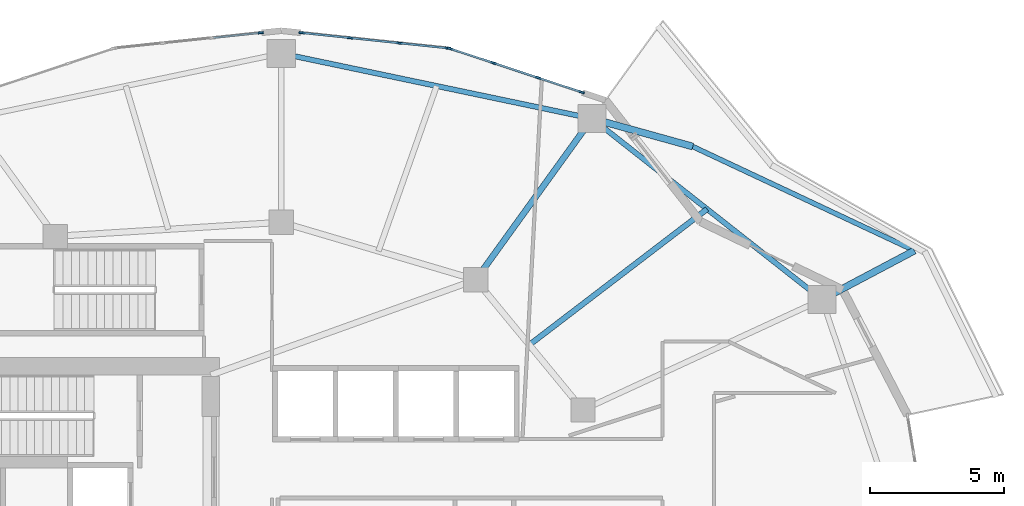
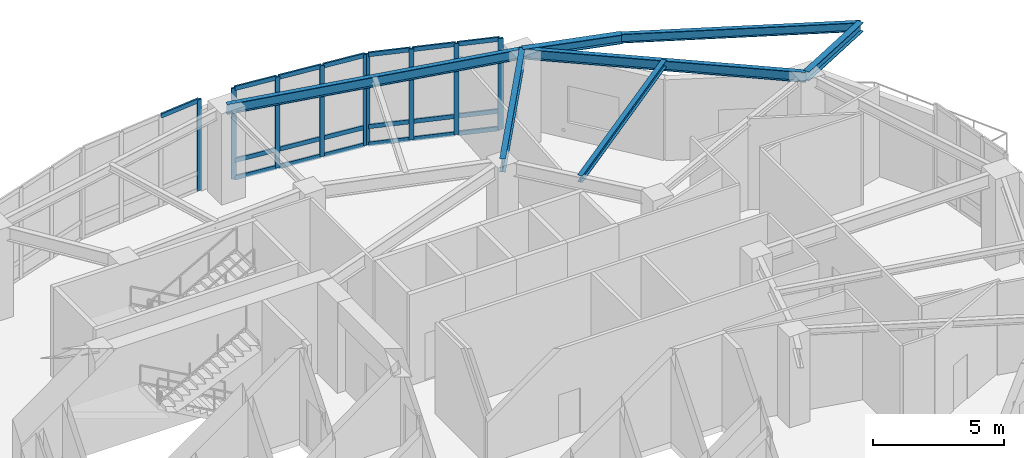
# One storey, part 7 of 16: 28 members, 7 beams, 3 elements without a shape of their own.
"""IFC4 building model written with IfcOpenShell, lengths in metres."""

from ifc_helpers import new_model, si_unit, direction, frame, origin, origin_2d, place, context, subcontext, project, spatial, rectangle, i_section, extrude, material, layer, layer_set, material_profile, profile_set, type_object, element, aggregate, save


model = new_model("IFC4")

# Units and contexts
model_context = context("Model", 3, precision=1e-05, world=origin(), true_north=direction((0.0, 1.0)))
body_context = subcontext(model_context, "Body", "Model", "MODEL_VIEW")
ifc_project = project(units=[si_unit("LENGTHUNIT", "METRE"), si_unit("AREAUNIT", "SQUARE_METRE"), si_unit("VOLUMEUNIT", "CUBIC_METRE"), si_unit("PLANEANGLEUNIT", "RADIAN"), si_unit("MASSUNIT", "GRAM", prefix="KILO")], contexts=[model_context])

# Site, building, storey
site_placement = place(None, origin())
site = spatial("IfcSite", under=ifc_project, at=site_placement, CompositionType="ELEMENT")
building_placement = place(site_placement, origin())
building = spatial("IfcBuilding", under=site, at=building_placement, Name="Kolvaren Gate Tower and Convention Centre", CompositionType="ELEMENT")
storey_placement = place(building_placement, frame((0.0, 0.0, 100.800048828125)))
storey = spatial("IfcBuildingStorey", under=building, at=storey_placement, Name="L24", CompositionType="ELEMENT", Elevation=100.800048828125)

# Curtain wall, members
ifc_material_1 = material(Name="Anodized Architectural Aluminium Alloy 6063-T6", Category="aluminium")
ifc_layer = layer(ifc_material_1, 0.199951171875)
ifc_layer_set = layer_set([ifc_layer], Name="Anodized Architectural Aluminium Alloy 6063-T6")
curtain_wall_type = type_object("IfcCurtainWallType", Name="CW-SKY-GLZ", PredefinedType="NOTDEFINED", material=ifc_layer_set)
curtain_wall_1_placement = place(storey_placement, origin())
curtain_wall_1 = element("IfcCurtainWall", 1, at=curtain_wall_1_placement, inside=storey, type_object=curtain_wall_type, Name="L24 Panoramic Structural Curtain Wall CW-04", PredefinedType="NOTDEFINED")
ifc_material_profile_1 = material_profile(ifc_material_1, rectangle(XDim=0.074951171875, YDim=0.199951171875, at=origin_2d()), Name="CW-MEM-MUL-200")
ifc_profile_set_1 = profile_set([ifc_material_profile_1], Name="Anodized Architectural Aluminium Alloy 6063-T6")
member_type_1 = type_object("IfcMemberType", Name="CW-MEM-MUL-200", PredefinedType="MULLION", material=ifc_profile_set_1)
member_1_placement = place(storey_placement, frame((36.4208984375, 45.678955078125, 0.0), z_axis=(0.0, 0.0, 1.0), x_axis=(0.314552984603, 0.949239916922, 0.0)))
member_1 = element("IfcMember", 2, at=member_1_placement, type_object=member_type_1, Name="CW-05 mullion 1", PredefinedType="MULLION", context=body_context, shape_type="SweptSolid", body=[
    extrude(rectangle(XDim=0.074951171875, YDim=0.199951171875, at=origin_2d()), origin(), (0.0, 0.0, 1.0), 4.22998046875),
])
member_2_placement = place(storey_placement, frame((38.04638671875, 45.14013671875, 0.0), z_axis=(0.0, 0.0, 1.0), x_axis=(0.314552984603, 0.949239916922, 0.0)))
member_2 = element("IfcMember", 3, at=member_2_placement, type_object=member_type_1, Name="CW-05 mullion 2", PredefinedType="MULLION", context=body_context, shape_type="SweptSolid", body=[
    extrude(rectangle(XDim=0.074951171875, YDim=0.199951171875, at=origin_2d()), origin(), (0.0, 0.0, 1.0), 4.22998046875),
])
member_3_placement = place(storey_placement, frame((39.70751953125, 44.58984375, 0.0), z_axis=(0.0, 0.0, 1.0), x_axis=(0.314552984603, 0.949239916922, 0.0)))
member_3 = element("IfcMember", 4, at=member_3_placement, type_object=member_type_1, Name="CW-05 mullion 3", PredefinedType="MULLION", context=body_context, shape_type="SweptSolid", body=[
    extrude(rectangle(XDim=0.074951171875, YDim=0.199951171875, at=origin_2d()), origin(), (0.0, 0.0, 1.0), 4.22998046875),
])
member_4_placement = place(storey_placement, frame((41.3330078125, 44.051025390625, 0.0), z_axis=(0.0, 0.0, 1.0), x_axis=(0.314552984603, 0.949239916922, 0.0)))
member_4 = element("IfcMember", 5, at=member_4_placement, type_object=member_type_1, Name="CW-05 mullion 4", PredefinedType="MULLION", context=body_context, shape_type="SweptSolid", body=[
    extrude(rectangle(XDim=0.074951171875, YDim=0.199951171875, at=origin_2d()), origin(), (0.0, 0.0, 1.0), 4.22998046875),
])

curtain_wall_2_placement = place(storey_placement, origin())
curtain_wall_2 = element("IfcCurtainWall", 6, at=curtain_wall_2_placement, inside=storey, type_object=curtain_wall_type, Name="L24 Panoramic Structural Curtain Wall CW-05", PredefinedType="NOTDEFINED")
member_5_placement = place(storey_placement, frame((30.88720703125, 46.269775390625, 0.0), z_axis=(0.0, 0.0, 1.0), x_axis=(0.104728741662, 0.994500824871, 0.0)))
member_5 = element("IfcMember", 7, at=member_5_placement, type_object=member_type_1, Name="CW-05 mullion 1", PredefinedType="MULLION", context=body_context, shape_type="SweptSolid", body=[
    extrude(rectangle(XDim=0.074951171875, YDim=0.199951171875, at=origin_2d()), origin(), (0.0, 0.0, 1.0), 4.22998046875),
])
member_6_placement = place(storey_placement, frame((32.695068359375, 46.079345703125, 0.0), z_axis=(0.0, 0.0, 1.0), x_axis=(0.104728741662, 0.994500824871, 0.0)))
member_6 = element("IfcMember", 8, at=member_6_placement, type_object=member_type_1, Name="CW-05 mullion 2", PredefinedType="MULLION", context=body_context, shape_type="SweptSolid", body=[
    extrude(rectangle(XDim=0.074951171875, YDim=0.199951171875, at=origin_2d()), origin(), (0.0, 0.0, 1.0), 4.22998046875),
])
member_7_placement = place(storey_placement, frame((34.5400390625, 45.885009765625, 0.0), z_axis=(0.0, 0.0, 1.0), x_axis=(0.104728741662, 0.994500824871, 0.0)))
member_7 = element("IfcMember", 9, at=member_7_placement, type_object=member_type_1, Name="CW-05 mullion 3", PredefinedType="MULLION", context=body_context, shape_type="SweptSolid", body=[
    extrude(rectangle(XDim=0.074951171875, YDim=0.199951171875, at=origin_2d()), origin(), (0.0, 0.0, 1.0), 4.22998046875),
])
member_8_placement = place(storey_placement, frame((36.347900390625, 45.694580078125, 0.0), z_axis=(0.0, 0.0, 1.0), x_axis=(0.104728741662, 0.994500824871, 0.0)))
member_8 = element("IfcMember", 10, at=member_8_placement, type_object=member_type_1, Name="CW-05 mullion 4", PredefinedType="MULLION", context=body_context, shape_type="SweptSolid", body=[
    extrude(rectangle(XDim=0.074951171875, YDim=0.199951171875, at=origin_2d()), origin(), (0.0, 0.0, 1.0), 4.22998046875),
])

# Curtain wall, member
curtain_wall_3_placement = place(storey_placement, origin())
curtain_wall_3 = element("IfcCurtainWall", 11, at=curtain_wall_3_placement, inside=storey, type_object=curtain_wall_type, Name="L24 Panoramic Structural Curtain Wall CW-06", PredefinedType="NOTDEFINED")
member_9_placement = place(storey_placement, frame((29.36279296875, 46.269775390625, 0.0), z_axis=(0.0, 0.0, 1.0), x_axis=(-0.104742768305, 0.994499347656, 0.0)))
member_9 = element("IfcMember", 12, at=member_9_placement, type_object=member_type_1, Name="CW-05 mullion 4", PredefinedType="MULLION", context=body_context, shape_type="SweptSolid", body=[
    extrude(rectangle(XDim=0.074951171875, YDim=0.199951171875, at=origin_2d()), origin(), (0.0, 0.0, 1.0), 4.22998046875),
])

# Member
ifc_material_profile_2 = material_profile(ifc_material_1, rectangle(XDim=0.074951171875, YDim=0.199951171875, at=origin_2d()), Name="CW-MEM-TRN-200")
ifc_profile_set_2 = profile_set([ifc_material_profile_2], Name="Anodized Architectural Aluminium Alloy 6063-T6")
member_type_2 = type_object("IfcMemberType", Name="CW-MEM-TRN-200", PredefinedType="USERDEFINED", material=ifc_profile_set_2)
member_10_placement = place(storey_placement, frame((36.456298828125, 45.6669921875, 0.037353515625), z_axis=(0.94927798479, -0.314438082287, 0.0), x_axis=(0.314438082287, 0.94927798479, 0.0)))
member_10 = element("IfcMember", 13, at=member_10_placement, type_object=member_type_2, Name="CW-05 transom 1.1", ObjectType="TRANSOM", PredefinedType="USERDEFINED", context=body_context, shape_type="SweptSolid", body=[
    extrude(rectangle(XDim=0.074951171875, YDim=0.199951171875, at=origin_2d()), origin(), (0.0, 0.0, 1.0), 1.637451171875),
])

member_11_placement = place(storey_placement, frame((36.456298828125, 45.6669921875, 0.849853515625), z_axis=(0.94927798479, -0.314438082287, 0.0), x_axis=(0.314438082287, 0.94927798479, 0.0)))
member_11 = element("IfcMember", 14, at=member_11_placement, type_object=member_type_2, Name="CW-05 transom 1.2", ObjectType="TRANSOM", PredefinedType="USERDEFINED", context=body_context, shape_type="SweptSolid", body=[
    extrude(rectangle(XDim=0.074951171875, YDim=0.199951171875, at=origin_2d()), origin(), (0.0, 0.0, 1.0), 1.637451171875),
])

member_12_placement = place(storey_placement, frame((36.456298828125, 45.6669921875, 4.1923828125), z_axis=(0.94927798479, -0.314438082287, 0.0), x_axis=(0.314438082287, 0.94927798479, 0.0)))
member_12 = element("IfcMember", 15, at=member_12_placement, type_object=member_type_2, Name="CW-05 transom 1.3", ObjectType="TRANSOM", PredefinedType="USERDEFINED", context=body_context, shape_type="SweptSolid", body=[
    extrude(rectangle(XDim=0.074951171875, YDim=0.199951171875, at=origin_2d()), origin(), (0.0, 0.0, 1.0), 1.637451171875),
])

member_13_placement = place(storey_placement, frame((38.08203125, 45.12841796875, 0.037353515625), z_axis=(0.94923575788, -0.314565535243, 0.0), x_axis=(0.314565535243, 0.94923575788, 0.0)))
member_13 = element("IfcMember", 16, at=member_13_placement, type_object=member_type_2, Name="CW-05 transom 2.1", ObjectType="TRANSOM", PredefinedType="USERDEFINED", context=body_context, shape_type="SweptSolid", body=[
    extrude(rectangle(XDim=0.074951171875, YDim=0.199951171875, at=origin_2d()), origin(), (0.0, 0.0, 1.0), 1.6748046875),
])

member_14_placement = place(storey_placement, frame((38.08203125, 45.12841796875, 0.849853515625), z_axis=(0.94923575788, -0.314565535243, 0.0), x_axis=(0.314565535243, 0.94923575788, 0.0)))
member_14 = element("IfcMember", 17, at=member_14_placement, type_object=member_type_2, Name="CW-05 transom 2.2", ObjectType="TRANSOM", PredefinedType="USERDEFINED", context=body_context, shape_type="SweptSolid", body=[
    extrude(rectangle(XDim=0.074951171875, YDim=0.199951171875, at=origin_2d()), origin(), (0.0, 0.0, 1.0), 1.6748046875),
])

member_15_placement = place(storey_placement, frame((38.08203125, 45.12841796875, 4.1923828125), z_axis=(0.94923575788, -0.314565535243, 0.0), x_axis=(0.314565535243, 0.94923575788, 0.0)))
member_15 = element("IfcMember", 18, at=member_15_placement, type_object=member_type_2, Name="CW-05 transom 2.3", ObjectType="TRANSOM", PredefinedType="USERDEFINED", context=body_context, shape_type="SweptSolid", body=[
    extrude(rectangle(XDim=0.074951171875, YDim=0.199951171875, at=origin_2d()), origin(), (0.0, 0.0, 1.0), 1.6748046875),
])

member_16_placement = place(storey_placement, frame((39.7431640625, 44.577880859375, 0.037353515625), z_axis=(0.94927798479, -0.314438082287, 0.0), x_axis=(0.314438082287, 0.94927798479, 0.0)))
member_16 = element("IfcMember", 19, at=member_16_placement, type_object=member_type_2, Name="CW-05 transom 3.1", ObjectType="TRANSOM", PredefinedType="USERDEFINED", context=body_context, shape_type="SweptSolid", body=[
    extrude(rectangle(XDim=0.074951171875, YDim=0.199951171875, at=origin_2d()), origin(), (0.0, 0.0, 1.0), 1.637451171875),
])

member_17_placement = place(storey_placement, frame((39.7431640625, 44.577880859375, 0.849853515625), z_axis=(0.94927798479, -0.314438082287, 0.0), x_axis=(0.314438082287, 0.94927798479, 0.0)))
member_17 = element("IfcMember", 20, at=member_17_placement, type_object=member_type_2, Name="CW-05 transom 3.2", ObjectType="TRANSOM", PredefinedType="USERDEFINED", context=body_context, shape_type="SweptSolid", body=[
    extrude(rectangle(XDim=0.074951171875, YDim=0.199951171875, at=origin_2d()), origin(), (0.0, 0.0, 1.0), 1.637451171875),
])

member_18_placement = place(storey_placement, frame((39.7431640625, 44.577880859375, 4.1923828125), z_axis=(0.94927798479, -0.314438082287, 0.0), x_axis=(0.314438082287, 0.94927798479, 0.0)))
member_18 = element("IfcMember", 21, at=member_18_placement, type_object=member_type_2, Name="CW-05 transom 3.3", ObjectType="TRANSOM", PredefinedType="USERDEFINED", context=body_context, shape_type="SweptSolid", body=[
    extrude(rectangle(XDim=0.074951171875, YDim=0.199951171875, at=origin_2d()), origin(), (0.0, 0.0, 1.0), 1.637451171875),
])

aggregate(curtain_wall_1, [member_1, member_2, member_3, member_4, member_10, member_11, member_12, member_13, member_14, member_15, member_16, member_17, member_18])

member_19_placement = place(storey_placement, frame((30.924560546875, 46.265625, 0.037353515625), z_axis=(0.994509290375, -0.104648322286, 0.0), x_axis=(0.104648322286, 0.994509290375, 0.0)))
member_19 = element("IfcMember", 22, at=member_19_placement, type_object=member_type_2, Name="CW-05 transom 1.1", ObjectType="TRANSOM", PredefinedType="USERDEFINED", context=body_context, shape_type="SweptSolid", body=[
    extrude(rectangle(XDim=0.074951171875, YDim=0.199951171875, at=origin_2d()), origin(), (0.0, 0.0, 1.0), 1.74267578125),
])

member_20_placement = place(storey_placement, frame((30.924560546875, 46.265625, 0.849853515625), z_axis=(0.994509290375, -0.104648322286, 0.0), x_axis=(0.104648322286, 0.994509290375, 0.0)))
member_20 = element("IfcMember", 23, at=member_20_placement, type_object=member_type_2, Name="CW-05 transom 1.2", ObjectType="TRANSOM", PredefinedType="USERDEFINED", context=body_context, shape_type="SweptSolid", body=[
    extrude(rectangle(XDim=0.074951171875, YDim=0.199951171875, at=origin_2d()), origin(), (0.0, 0.0, 1.0), 1.74267578125),
])

member_21_placement = place(storey_placement, frame((30.924560546875, 46.265625, 4.1923828125), z_axis=(0.994509290375, -0.104648322286, 0.0), x_axis=(0.104648322286, 0.994509290375, 0.0)))
member_21 = element("IfcMember", 24, at=member_21_placement, type_object=member_type_2, Name="CW-05 transom 1.3", ObjectType="TRANSOM", PredefinedType="USERDEFINED", context=body_context, shape_type="SweptSolid", body=[
    extrude(rectangle(XDim=0.074951171875, YDim=0.199951171875, at=origin_2d()), origin(), (0.0, 0.0, 1.0), 1.74267578125),
])

member_22_placement = place(storey_placement, frame((32.732421875, 46.075439453125, 0.037353515625), z_axis=(0.994496432196, -0.104770445973, 0.0), x_axis=(0.104770445973, 0.994496432196, 0.0)))
member_22 = element("IfcMember", 25, at=member_22_placement, type_object=member_type_2, Name="CW-05 transom 2.1", ObjectType="TRANSOM", PredefinedType="USERDEFINED", context=body_context, shape_type="SweptSolid", body=[
    extrude(rectangle(XDim=0.074951171875, YDim=0.199951171875, at=origin_2d()), origin(), (0.0, 0.0, 1.0), 1.7802734375),
])

member_23_placement = place(storey_placement, frame((32.732421875, 46.075439453125, 0.849853515625), z_axis=(0.994496432196, -0.104770445973, 0.0), x_axis=(0.104770445973, 0.994496432196, 0.0)))
member_23 = element("IfcMember", 26, at=member_23_placement, type_object=member_type_2, Name="CW-05 transom 2.2", ObjectType="TRANSOM", PredefinedType="USERDEFINED", context=body_context, shape_type="SweptSolid", body=[
    extrude(rectangle(XDim=0.074951171875, YDim=0.199951171875, at=origin_2d()), origin(), (0.0, 0.0, 1.0), 1.7802734375),
])

member_24_placement = place(storey_placement, frame((32.732421875, 46.075439453125, 4.1923828125), z_axis=(0.994496432196, -0.104770445973, 0.0), x_axis=(0.104770445973, 0.994496432196, 0.0)))
member_24 = element("IfcMember", 27, at=member_24_placement, type_object=member_type_2, Name="CW-05 transom 2.3", ObjectType="TRANSOM", PredefinedType="USERDEFINED", context=body_context, shape_type="SweptSolid", body=[
    extrude(rectangle(XDim=0.074951171875, YDim=0.199951171875, at=origin_2d()), origin(), (0.0, 0.0, 1.0), 1.7802734375),
])

member_25_placement = place(storey_placement, frame((34.577392578125, 45.881103515625, 0.037353515625), z_axis=(0.994494701097, -0.104786876521, 0.0), x_axis=(0.104786876521, 0.994494701097, 0.0)))
member_25 = element("IfcMember", 28, at=member_25_placement, type_object=member_type_2, Name="CW-05 transom 3.1", ObjectType="TRANSOM", PredefinedType="USERDEFINED", context=body_context, shape_type="SweptSolid", body=[
    extrude(rectangle(XDim=0.074951171875, YDim=0.199951171875, at=origin_2d()), origin(), (0.0, 0.0, 1.0), 1.74267578125),
])

member_26_placement = place(storey_placement, frame((34.577392578125, 45.881103515625, 0.849853515625), z_axis=(0.994494701097, -0.104786876521, 0.0), x_axis=(0.104786876521, 0.994494701097, 0.0)))
member_26 = element("IfcMember", 29, at=member_26_placement, type_object=member_type_2, Name="CW-05 transom 3.2", ObjectType="TRANSOM", PredefinedType="USERDEFINED", context=body_context, shape_type="SweptSolid", body=[
    extrude(rectangle(XDim=0.074951171875, YDim=0.199951171875, at=origin_2d()), origin(), (0.0, 0.0, 1.0), 1.74267578125),
])

member_27_placement = place(storey_placement, frame((34.577392578125, 45.881103515625, 4.1923828125), z_axis=(0.994494701097, -0.104786876521, 0.0), x_axis=(0.104786876521, 0.994494701097, 0.0)))
member_27 = element("IfcMember", 30, at=member_27_placement, type_object=member_type_2, Name="CW-05 transom 3.3", ObjectType="TRANSOM", PredefinedType="USERDEFINED", context=body_context, shape_type="SweptSolid", body=[
    extrude(rectangle(XDim=0.074951171875, YDim=0.199951171875, at=origin_2d()), origin(), (0.0, 0.0, 1.0), 1.74267578125),
])

aggregate(curtain_wall_2, [member_5, member_6, member_7, member_8, member_19, member_20, member_21, member_22, member_23, member_24, member_25, member_26, member_27])

member_28_placement = place(storey_placement, frame((27.59228515625, 46.083251953125, 4.1923828125), z_axis=(0.994496238997, 0.104772279827, 0.0), x_axis=(-0.104772279827, 0.994496238997, 0.0)))
member_28 = element("IfcMember", 31, at=member_28_placement, type_object=member_type_2, Name="CW-05 transom 3.3", ObjectType="TRANSOM", PredefinedType="USERDEFINED", context=body_context, shape_type="SweptSolid", body=[
    extrude(rectangle(XDim=0.074951171875, YDim=0.199951171875, at=origin_2d()), origin(), (0.0, 0.0, 1.0), 1.742919921875),
])

aggregate(curtain_wall_3, [member_9, member_28])

# Beams
ifc_material_2 = material(Name="Structural steel ASTM A992 Grade 345 MPa", Category="steel")
ifc_material_profile_3 = material_profile(ifc_material_2, i_section(OverallWidth=0.260009765625, OverallDepth=0.419921875, WebThickness=0.013427734375, FlangeThickness=0.0224609375, at=origin_2d()), Name="W410X132")
ifc_profile_set_3 = profile_set([ifc_material_profile_3], Name="Structural steel ASTM A992 Grade 345 MPa")
beam_type_1 = type_object("IfcBeamType", Name="STR-BM-W410X132", PredefinedType="BEAM", material=ifc_profile_set_3)
for number, where, z_axis, x_axis, name in (
    (32, (50.30029296875, 36.318603515625, 4.0205078125), (0.883728523532, 0.467999889632, 0.0), (-0.467999889632, 0.883728523532, 0.0), "Tower L25 Planted Balcony Outrigger Cantilever BC-1A"),
    (33, (41.721435546875, 43.068359375, 4.0205078125), (0.963559154052, -0.267495339479, 0.0), (0.267495339479, 0.963559154052, 0.0), "Tower L25 Planted Balcony Outrigger Cantilever BC-1B"),
):
    element("IfcBeam", number, at=place(storey_placement, frame(where, z_axis=z_axis, x_axis=x_axis)), inside=storey, type_object=beam_type_1, Name=name, PredefinedType="BEAM", context=body_context, shape_type="SweptSolid", body=[
        extrude(i_section(OverallWidth=0.260009765625, OverallDepth=0.419921875, WebThickness=0.013427734375, FlangeThickness=0.0224609375, at=origin_2d()), origin(), (0.0, 0.0, 1.0), 3.89990234375),
    ])
ifc_material_profile_4 = material_profile(ifc_material_2, i_section(OverallWidth=0.22998046875, OverallDepth=0.616943359375, WebThickness=0.01318359375, FlangeThickness=0.022216796875, at=origin_2d()), Name="W610X140")
ifc_profile_set_4 = profile_set([ifc_material_profile_4], Name="Structural steel ASTM A992 Grade 345 MPa")
beam_type_2 = type_object("IfcBeamType", Name="STR-BM-W610X140", PredefinedType="BEAM", material=ifc_profile_set_4)
beam_1_placement = place(storey_placement, frame((37.381591796875, 37.054931640625, 3.92138671875), z_axis=(0.585208050015, 0.810883184064, 0.0), x_axis=(-0.810883184064, 0.585208050015, 0.0)))
element("IfcBeam", 34, at=beam_1_placement, inside=storey, type_object=beam_type_2, Name="Tower L24 Radial Floor Girder RB-03", PredefinedType="BEAM", context=body_context, shape_type="SweptSolid", body=[
    extrude(i_section(OverallWidth=0.22998046875, OverallDepth=0.616943359375, WebThickness=0.01318359375, FlangeThickness=0.022216796875, at=origin_2d()), origin(), (0.0, 0.0, 1.0), 7.416015625),
])
ifc_material_profile_5 = material_profile(ifc_material_2, i_section(OverallWidth=0.205078125, OverallDepth=0.31005859375, WebThickness=0.009521484375, FlangeThickness=0.016357421875, at=origin_2d()), Name="W310X74")
ifc_profile_set_5 = profile_set([ifc_material_profile_5], Name="Structural steel ASTM A992 Grade 345 MPa")
beam_type_3 = type_object("IfcBeamType", Name="STR-JS-W310X74", PredefinedType="JOIST", material=ifc_profile_set_5)
beam_2_placement = place(storey_placement, frame((39.3818359375, 34.627197265625, 4.074951171875), z_axis=(0.79454218325, 0.607208958297, 0.0), x_axis=(-0.607208958297, 0.79454218325, 0.0)))
element("IfcBeam", 35, at=beam_2_placement, inside=storey, type_object=beam_type_3, Name="Tower L24 Secondary Composite Floor Joist J-02.1", PredefinedType="JOIST", context=body_context, shape_type="SweptSolid", body=[
    extrude(i_section(OverallWidth=0.205078125, OverallDepth=0.31005859375, WebThickness=0.009521484375, FlangeThickness=0.016357421875, at=origin_2d()), origin(), (0.0, 0.0, 1.0), 8.34326171875),
])
ifc_material_profile_6 = material_profile(ifc_material_2, i_section(OverallWidth=0.180908203125, OverallDepth=0.4169921875, WebThickness=0.010986328125, FlangeThickness=0.018310546875, at=origin_2d()), Name="W410X85")
ifc_profile_set_6 = profile_set([ifc_material_profile_6], Name="Structural steel ASTM A992 Grade 345 MPa")
beam_type_4 = type_object("IfcBeamType", Name="STR-SP-W410X85", PredefinedType="SPANDREL", material=ifc_profile_set_6)
beam_3_placement = place(storey_placement, frame((53.746826171875, 38.143798828125, 4.02197265625), z_axis=(-0.905209664084, 0.424965250402, 0.0), x_axis=(-0.424965250402, -0.905209664084, 0.0)))
element("IfcBeam", 36, at=beam_3_placement, inside=storey, type_object=beam_type_4, Name="Tower L25 Planted Balcony Header Tie Beam BT-1", PredefinedType="SPANDREL", context=body_context, shape_type="SweptSolid", body=[
    extrude(i_section(OverallWidth=0.180908203125, OverallDepth=0.4169921875, WebThickness=0.010986328125, FlangeThickness=0.018310546875, at=origin_2d()), origin(), (0.0, 0.0, 1.0), 9.13330078125),
])
ifc_material_profile_7 = material_profile(ifc_material_2, i_section(OverallWidth=0.194091796875, OverallDepth=0.468994140625, WebThickness=0.0126953125, FlangeThickness=0.0205078125, at=origin_2d()), Name="W460X106")
ifc_profile_set_7 = profile_set([ifc_material_profile_7], Name="Structural steel ASTM A992 Grade 345 MPa")
beam_type_5 = type_object("IfcBeamType", Name="STR-SP-W460X106", PredefinedType="SPANDREL", material=ifc_profile_set_7)
beam_4_placement = place(storey_placement, frame((50.30029296875, 36.318603515625, 3.995361328125), z_axis=(-0.785907610354, 0.618343939881, 0.0), x_axis=(-0.618343939881, -0.785907610354, 0.0)))
element("IfcBeam", 37, at=beam_4_placement, inside=storey, type_object=beam_type_5, Name="Tower L24 Perimeter Spandrel Beam SP-02", PredefinedType="SPANDREL", context=body_context, shape_type="SweptSolid", body=[
    extrude(i_section(OverallWidth=0.194091796875, OverallDepth=0.468994140625, WebThickness=0.0126953125, FlangeThickness=0.0205078125, at=origin_2d()), origin(), (0.0, 0.0, 1.0), 10.915771484375),
])
beam_5_placement = place(storey_placement, frame((41.721435546875, 43.068359375, 3.995361328125), z_axis=(-0.978714746947, 0.205225349578, 0.0), x_axis=(-0.205225349578, -0.978714746947, 0.0)))
element("IfcBeam", 38, at=beam_5_placement, inside=storey, type_object=beam_type_5, Name="Tower L24 Perimeter Spandrel Beam SP-03", PredefinedType="SPANDREL", context=body_context, shape_type="SweptSolid", body=[
    extrude(i_section(OverallWidth=0.194091796875, OverallDepth=0.468994140625, WebThickness=0.0126953125, FlangeThickness=0.0205078125, at=origin_2d()), origin(), (0.0, 0.0, 1.0), 11.8486328125),
])

save(model, "model.ifc")
